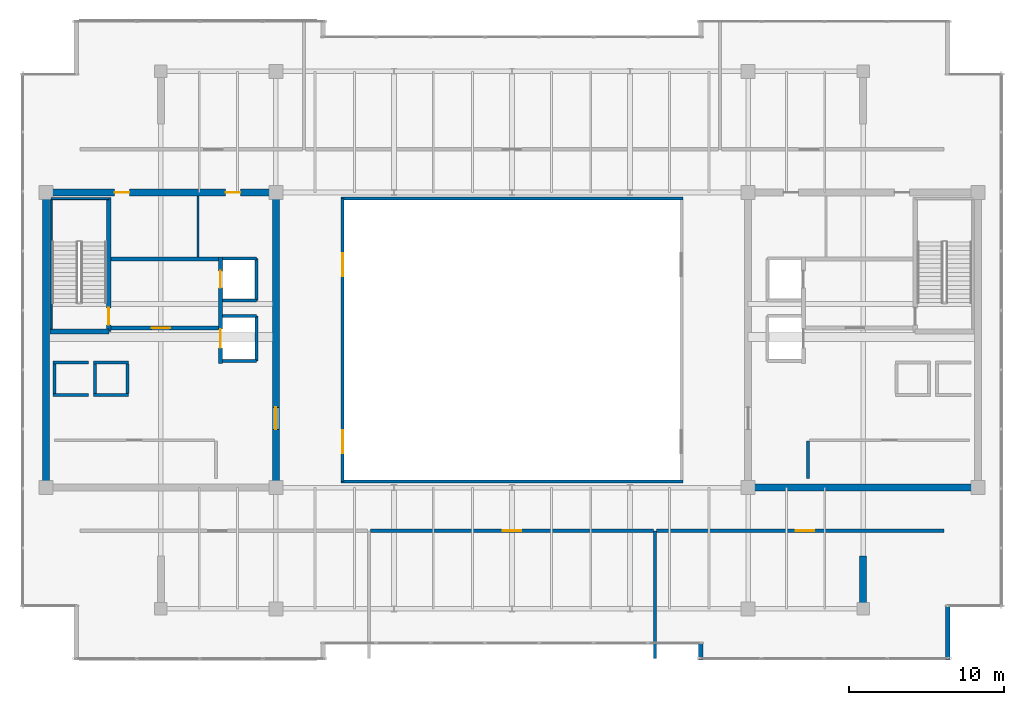
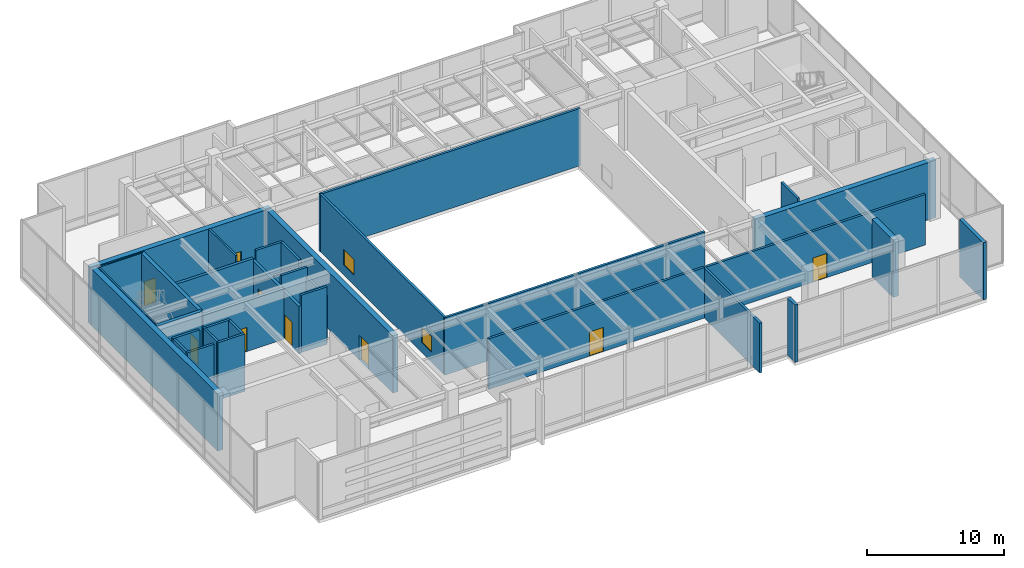
# One storey, part 25 of 30: 35 walls, 9 doors, 2 windows, 11 openings.
"""IFC4 building model written with IfcOpenShell, lengths in metres."""

from ifc_helpers import new_model, si_unit, direction, frame, frame_2d, origin, place, context, subcontext, project, spatial, rectangle, extrude, source, transform, mapped, material, layer, layer_set, type_object, type_shapes, element, fill, save


model = new_model("IFC4")

# Units and contexts
model_context = context("Model", 3, precision=1e-05, world=origin(), true_north=direction((0.0, 1.0)))
body_context = subcontext(model_context, "Body", "Model", "MODEL_VIEW")
ifc_project = project(units=[si_unit("LENGTHUNIT", "METRE"), si_unit("AREAUNIT", "SQUARE_METRE"), si_unit("VOLUMEUNIT", "CUBIC_METRE"), si_unit("PLANEANGLEUNIT", "RADIAN"), si_unit("MASSUNIT", "GRAM", prefix="KILO")], contexts=[model_context])

# Site, building, storey
site_placement = place(None, origin())
site = spatial("IfcSite", under=ifc_project, at=site_placement, CompositionType="ELEMENT")
building_placement = place(site_placement, origin())
building = spatial("IfcBuilding", under=site, at=building_placement, Name="Haelvirn Gate Laboratories", CompositionType="ELEMENT")
storey_placement = place(building_placement, frame((0.0, 0.0, 327.0)))
storey = spatial("IfcBuildingStorey", under=building, at=storey_placement, Name="L78", CompositionType="ELEMENT", Elevation=327.0)

# Walls
ifc_material_1 = material(Name="Thermally-broken bronze aluminium rainscreen & mineral wool", Category="aluminium")
ifc_layer_1 = layer(ifc_material_1, 0.280029296875, Name="EW-TERR-280")
ifc_layer_set_1 = layer_set([ifc_layer_1], Name="Thermally-broken bronze aluminium rainscreen & mineral wool")
wall_type_1 = type_object("IfcWallType", Name="EW-TERR-280", PredefinedType="STANDARD", material=ifc_layer_set_1)
wall_1_placement = place(storey_placement, frame((49.5400390625, 4.782958984375, 0.0), z_axis=(0.0, 0.0, 1.0), x_axis=(0.0, -1.0, 0.0)))
element("IfcWall", 1, at=wall_1_placement, inside=storey, type_object=wall_type_1, Name="L78 Atrium Recess Bronze Return Wall 03", PredefinedType="STANDARD", context=body_context, shape_type="SweptSolid", body=[
    extrude(rectangle(XDim=1.0830078125, YDim=0.280029296875, at=frame_2d((0.54150390625, 0.0))), origin(), (0.0, 0.0, 1.0), 5.1201171875),
])
wall_2_placement = place(storey_placement, frame((65.4599609375, 3.699951171875, 0.0), z_axis=(0.0, 0.0, 1.0), x_axis=(0.0, 1.0, 0.0)))
element("IfcWall", 2, at=wall_2_placement, inside=storey, type_object=wall_type_1, Name="L78 Atrium Recess Bronze Return Wall 05", PredefinedType="STANDARD", context=body_context, shape_type="SweptSolid", body=[
    extrude(rectangle(XDim=3.488037109375, YDim=0.280029296875, at=frame_2d((1.744140625, 0.0))), origin(), (0.0, 0.0, 1.0), 5.1201171875),
])

# Wall, openings, windows
ifc_material_2 = material(Name="Tempered fire-rated borosilicate glass & anodised aluminium", Category="aluminium")
ifc_layer_2 = layer(ifc_material_2, 0.195068359375, Name="IW-GLAZ-200")
ifc_layer_set_2 = layer_set([ifc_layer_2], Name="Tempered fire-rated borosilicate glass & anodised aluminium")
wall_type_2 = type_object("IfcWallType", Name="IW-GLAZ-200", PredefinedType="SOLIDWALL", material=ifc_layer_set_2)
wall_3_placement = place(storey_placement, frame((26.5, 15.199951171875, 0.0), z_axis=(0.0, 0.0, 1.0), x_axis=(0.0, 1.0, 0.0)))
wall_3 = element("IfcWall", 3, at=wall_3_placement, inside=storey, type_object=wall_type_2, Name="L78 Interior Wall IW-L78-ATRIUM-W", PredefinedType="SOLIDWALL", context=body_context, shape_type="SweptSolid", body=[
    extrude(rectangle(XDim=18.199951171875, YDim=0.195068359375, at=frame_2d((9.10009765625, 0.0))), origin(), (0.0, 0.0, 1.0), 5.1201171875),
])
opening_1_placement = place(wall_3_placement, frame((1.800048828125, 0.0, 0.89990234375)))
opening_1 = element("IfcOpeningElement", 4, at=opening_1_placement, cuts=wall_3, Name="Opening W5", PredefinedType="OPENING", context=body_context, shape_type="SweptSolid", body=[
    extrude(rectangle(XDim=1.5, YDim=1.39990234375, at=frame_2d((0.75, 0.699951171875))), frame((0.0, 0.107421875, 0.0), z_axis=(0.0, -1.0, 0.0), x_axis=(1.0, 0.0, 0.0)), (0.0, 0.0, 1.0), 0.215087890625),
])
opening_2_placement = place(wall_3_placement, frame((13.199951171875, 0.0, 0.89990234375)))
opening_2 = element("IfcOpeningElement", 5, at=opening_2_placement, cuts=wall_3, Name="Opening W5", PredefinedType="OPENING", context=body_context, shape_type="SweptSolid", body=[
    extrude(rectangle(XDim=1.5, YDim=1.39990234375, at=frame_2d((0.75, 0.699951171875))), frame((0.0, 0.107421875, 0.0), z_axis=(0.0, -1.0, 0.0), x_axis=(1.0, 0.0, 0.0)), (0.0, 0.0, 1.0), 0.215087890625),
])
ifc_material_3 = material(Name="Fire-rated EI 120 borosilicate atrium vision glazing", Category="glass")
window_type = type_object("IfcWindowType", Name="WN-ATR-1500", PartitioningType="SINGLE_PANEL", PredefinedType="WINDOW", material=ifc_material_3)
shared_shape_1 = source(origin(), body_context, "Body", "SweptSolid", [
    extrude(rectangle(XDim=1.5, YDim=1.39990234375, at=frame_2d((0.75, 0.699951171875))), frame((0.0, 0.030029296875, 0.0), z_axis=(0.0, -1.0, 0.0), x_axis=(1.0, 0.0, 0.0)), (0.0, 0.0, 1.0), 0.06005859375),
])
type_shapes(window_type, [shared_shape_1])
window_1_placement = place(opening_1_placement, origin())
window_1 = element("IfcWindow", 6, at=window_1_placement, inside=storey, type_object=window_type, Name="L78 Atrium Observation Window 1", OverallHeight=1.39990234375, OverallWidth=1.5, PartitioningType="SINGLE_PANEL", PredefinedType="WINDOW", context=body_context, shape_type="MappedRepresentation", body=[
    mapped(shared_shape_1, transform((0.0, 0.0, 0.0), scale=1.0)),
])
fill(opening_1, window_1)
window_2_placement = place(opening_2_placement, origin())
window_2 = element("IfcWindow", 7, at=window_2_placement, inside=storey, type_object=window_type, Name="L78 Atrium Observation Window 2", OverallHeight=1.39990234375, OverallWidth=1.5, PartitioningType="SINGLE_PANEL", PredefinedType="WINDOW", context=body_context, shape_type="MappedRepresentation", body=[
    mapped(shared_shape_1, transform((0.0, 0.0, 0.0), scale=1.0)),
])
fill(opening_2, window_2)

# Walls
for number, where, z_axis, x_axis, name in (
    (8, (26.39990234375, 15.199951171875, 0.0), (0.0, 0.0, 1.0), (1.0, 0.0, 0.0), "L78 Interior Wall IW-L78-ATRIUM-S"),
    (9, (26.39990234375, 33.39990234375, 0.0), (0.0, 0.0, 1.0), (1.0, 0.0, 0.0), "L78 Interior Wall IW-L78-ATRIUM-N"),
):
    element("IfcWall", number, at=place(storey_placement, frame(where, z_axis=z_axis, x_axis=x_axis)), inside=storey, type_object=wall_type_2, Name=name, PredefinedType="SOLIDWALL", context=body_context, shape_type="SweptSolid", body=[
        extrude(rectangle(XDim=22.0, YDim=0.195068359375, at=frame_2d((11.0, 0.0))), origin(), (0.0, 0.0, 1.0), 5.1201171875),
    ])
ifc_material_4 = material(Name="Cement-board restroom plumbing chase wall", Category="gypsum")
ifc_layer_3 = layer(ifc_material_4, 0.155029296875, Name="IW-PLUMB-160")
ifc_layer_set_3 = layer_set([ifc_layer_3], Name="Cement-board restroom plumbing chase wall")
wall_type_3 = type_object("IfcWallType", Name="IW-PLUMB-160", PredefinedType="PLUMBINGWALL", material=ifc_layer_set_3)
wall_4_placement = place(storey_placement, frame((17.18994140625, 29.64990234375, 0.0), z_axis=(0.0, 0.0, 1.0), x_axis=(0.0, 1.0, 0.0)))
element("IfcWall", 10, at=wall_4_placement, inside=storey, type_object=wall_type_3, Name="L78 Interior Wall IW-L78-W-CDIV-1", PredefinedType="PLUMBINGWALL", context=body_context, shape_type="SweptSolid", body=[
    extrude(rectangle(XDim=3.93017578125, YDim=0.155029296875, at=frame_2d((1.965087890625, 0.0))), origin(), (0.0, 0.0, 1.0), 5.1201171875),
])
ifc_material_5 = material(Name="Concrete C40/50", Category="concrete")
ifc_layer_4 = layer(ifc_material_5, 0.179931640625, Name="IW-SHAFT-180")
ifc_layer_set_4 = layer_set([ifc_layer_4], Name="Concrete C40/50")
wall_type_4 = type_object("IfcWallType", Name="IW-SHAFT-180", PredefinedType="SOLIDWALL", material=ifc_layer_set_4)
for number, where, z_axis, x_axis, name in (
    (11, (7.949951171875, 20.85009765625, 0.0), (0.0, 0.0, 1.0), (0.0, 1.0, 0.0), "L78 Interior Wall IW-L78-PL9-SD"),
    (12, (10.550048828125, 20.85009765625, 0.0), (0.0, 0.0, 1.0), (0.0, 1.0, 0.0), "L78 Interior Wall IW-L78-PL10-SD"),
    (13, (12.64990234375, 20.85009765625, 0.0), (0.0, 0.0, 1.0), (0.0, 1.0, 0.0), "L78 Interior Wall IW-L78-PL10-SDE"),
):
    element("IfcWall", number, at=place(storey_placement, frame(where, z_axis=z_axis, x_axis=x_axis)), inside=storey, type_object=wall_type_4, Name=name, PredefinedType="SOLIDWALL", context=body_context, shape_type="SweptSolid", body=[
        extrude(rectangle(XDim=1.89990234375, YDim=0.179931640625, at=frame_2d((0.949951171875, 0.0))), origin(), (0.0, 0.0, 1.0), 5.1201171875),
    ])
wall_5_placement = place(storey_placement, frame((56.4599609375, 15.39990234375, 0.0), z_axis=(0.0, 0.0, 1.0), x_axis=(0.0, 1.0, 0.0)))
element("IfcWall", 14, at=wall_5_placement, inside=storey, type_object=wall_type_4, Name="L78 Interior Wall IW-L78-E-FREED-HE-1", PredefinedType="SOLIDWALL", context=body_context, shape_type="SweptSolid", body=[
    extrude(rectangle(XDim=2.400146484375, YDim=0.179931640625, at=frame_2d((1.2001953125, 0.0))), origin(), (0.0, 0.0, 1.0), 5.1201171875),
])
ifc_layer_5 = layer(ifc_material_5, 0.199951171875, Name="IW-SHAFT-200")
ifc_layer_set_5 = layer_set([ifc_layer_5], Name="Concrete C40/50")
wall_type_5 = type_object("IfcWallType", Name="IW-SHAFT-200", PredefinedType="SOLIDWALL", material=ifc_layer_set_5)
for number, where, z_axis, x_axis, name in (
    (15, (7.8701171875, 20.75, 0.0), (0.0, 0.0, 1.0), (1.0, 0.0, 0.0), "L78 Interior Wall IW-L78-PL9-FR"),
    (16, (7.8701171875, 22.85009765625, 0.0), (0.0, 0.0, 1.0), (1.0, 0.0, 0.0), "L78 Interior Wall IW-L78-PL9-BK"),
):
    element("IfcWall", number, at=place(storey_placement, frame(where, z_axis=z_axis, x_axis=x_axis)), inside=storey, type_object=wall_type_5, Name=name, PredefinedType="SOLIDWALL", context=body_context, shape_type="SweptSolid", body=[
        extrude(rectangle(XDim=2.259765625, YDim=0.199951171875, at=frame_2d((1.1298828125, 0.0))), origin(), (0.0, 0.0, 1.0), 5.1201171875),
    ])
for number, where, z_axis, x_axis, name in (
    (17, (10.469970703125, 20.75, 0.0), (0.0, 0.0, 1.0), (1.0, 0.0, 0.0), "L78 Interior Wall IW-L78-PL10-FR"),
    (18, (10.469970703125, 22.85009765625, 0.0), (0.0, 0.0, 1.0), (1.0, 0.0, 0.0), "L78 Interior Wall IW-L78-PL10-BK"),
):
    element("IfcWall", number, at=place(storey_placement, frame(where, z_axis=z_axis, x_axis=x_axis)), inside=storey, type_object=wall_type_5, Name=name, PredefinedType="SOLIDWALL", context=body_context, shape_type="SweptSolid", body=[
        extrude(rectangle(XDim=2.260009765625, YDim=0.199951171875, at=frame_2d((1.1298828125, 0.0))), origin(), (0.0, 0.0, 1.0), 5.1201171875),
    ])
wall_6_placement = place(storey_placement, frame((20.949951171875, 26.85009765625, 0.0), z_axis=(0.0, 0.0, 1.0), x_axis=(0.0, 1.0, 0.0)))
element("IfcWall", 19, at=wall_6_placement, inside=storey, type_object=wall_type_5, Name="L78 Interior Wall IW-L78-FL1-BK", PredefinedType="SOLIDWALL", context=body_context, shape_type="SweptSolid", body=[
    extrude(rectangle(XDim=2.699951171875, YDim=0.199951171875, at=frame_2d((1.35009765625, 0.0))), origin(), (0.0, 0.0, 1.0), 5.1201171875),
])
wall_7_placement = place(storey_placement, frame((18.760009765625, 29.550048828125, 0.0), z_axis=(0.0, 0.0, 1.0), x_axis=(1.0, 0.0, 0.0)))
element("IfcWall", 20, at=wall_7_placement, inside=storey, type_object=wall_type_5, Name="L78 Interior Wall IW-L78-FL1-N", PredefinedType="SOLIDWALL", context=body_context, shape_type="SweptSolid", body=[
    extrude(rectangle(XDim=2.18994140625, YDim=0.199951171875, at=frame_2d((1.094970703125, 0.0))), origin(), (0.0, 0.0, 1.0), 5.1201171875),
])
wall_8_placement = place(storey_placement, frame((18.760009765625, 26.85009765625, 0.0), z_axis=(0.0, 0.0, 1.0), x_axis=(1.0, 0.0, 0.0)))
element("IfcWall", 21, at=wall_8_placement, inside=storey, type_object=wall_type_5, Name="L78 Interior Wall IW-L78-FL1-S", PredefinedType="SOLIDWALL", context=body_context, shape_type="SweptSolid", body=[
    extrude(rectangle(XDim=2.18994140625, YDim=0.199951171875, at=frame_2d((1.094970703125, 0.0))), origin(), (0.0, 0.0, 1.0), 4.51708984375),
])
wall_9_placement = place(storey_placement, frame((20.949951171875, 22.949951171875, 0.0), z_axis=(0.0, 0.0, 1.0), x_axis=(0.0, 1.0, 0.0)))
element("IfcWall", 22, at=wall_9_placement, inside=storey, type_object=wall_type_5, Name="L78 Interior Wall IW-L78-SL1-BK", PredefinedType="SOLIDWALL", context=body_context, shape_type="SweptSolid", body=[
    extrude(rectangle(XDim=2.900146484375, YDim=0.199951171875, at=frame_2d((1.4501953125, 0.0))), origin(), (0.0, 0.0, 1.0), 4.2548828125),
])
for number, where, z_axis, x_axis, name in (
    (23, (18.760009765625, 25.85009765625, 0.0), (0.0, 0.0, 1.0), (1.0, 0.0, 0.0), "L78 Interior Wall IW-L78-SL1-N"),
    (24, (18.760009765625, 22.949951171875, 0.0), (0.0, 0.0, 1.0), (1.0, 0.0, 0.0), "L78 Interior Wall IW-L78-SL1-S"),
):
    element("IfcWall", number, at=place(storey_placement, frame(where, z_axis=z_axis, x_axis=x_axis)), inside=storey, type_object=wall_type_5, Name=name, PredefinedType="SOLIDWALL", context=body_context, shape_type="SweptSolid", body=[
        extrude(rectangle(XDim=2.18994140625, YDim=0.199951171875, at=frame_2d((1.094970703125, 0.0))), origin(), (0.0, 0.0, 1.0), 5.1201171875),
    ])

# Wall, opening, door
wall_10_placement = place(storey_placement, frame((28.300048828125, 12.02001953125, 0.0), z_axis=(0.0, 0.0, 1.0), x_axis=(1.0, 0.0, 0.0)))
wall_10 = element("IfcWall", 25, at=wall_10_placement, inside=storey, type_object=wall_type_5, Name="L78 Interior Wall IW-L78-PSW-2", PredefinedType="SOLIDWALL", context=body_context, shape_type="SweptSolid", body=[
    extrude(rectangle(XDim=18.199951171875, YDim=0.199951171875, at=frame_2d((9.10009765625, 0.0))), origin(), (0.0, 0.0, 1.0), 4.51708984375),
])
opening_3_placement = place(wall_10_placement, frame((8.5, 0.0, 0.0)))
opening_3 = element("IfcOpeningElement", 26, at=opening_3_placement, cuts=wall_10, Name="Opening FD2", PredefinedType="OPENING", context=body_context, shape_type="SweptSolid", body=[
    extrude(rectangle(XDim=1.199951171875, YDim=2.159912109375, at=frame_2d((0.60009765625, 1.080078125))), frame((0.0, 0.10986328125, 0.0), z_axis=(0.0, -1.0, 0.0), x_axis=(1.0, 0.0, 0.0)), (0.0, 0.0, 1.0), 0.219970703125),
])
ifc_material_6 = material(Name="Fire-rated steel SM355 compartment door", Category="steel")
door_type_1 = type_object("IfcDoorType", Name="DR-FD-1200", OperationType="NOTDEFINED", PredefinedType="DOOR", material=ifc_material_6)
shared_shape_2 = source(origin(), body_context, "Body", "SweptSolid", [
    extrude(rectangle(XDim=1.199951171875, YDim=2.159912109375, at=frame_2d((0.60009765625, 1.080078125))), frame((0.0, 0.02490234375, 0.0), z_axis=(0.0, -1.0, 0.0), x_axis=(1.0, 0.0, 0.0)), (0.0, 0.0, 1.0), 0.050048828125),
])
type_shapes(door_type_1, [shared_shape_2])
door_1_placement = place(opening_3_placement, origin())
door_1 = element("IfcDoor", 27, at=door_1_placement, inside=storey, type_object=door_type_1, Name="L78 High-Plume Dilution Exhaust Fan Plant Fire Door", OperationType="SINGLE_SWING_RIGHT", OverallHeight=2.159912109375, OverallWidth=1.199951171875, PredefinedType="DOOR", context=body_context, shape_type="MappedRepresentation", body=[
    mapped(shared_shape_2, transform((0.0, 0.0, 0.0), scale=1.0)),
])
fill(opening_3, door_1)

# Wall
wall_11_placement = place(storey_placement, frame((46.60009765625, 3.81005859375, 0.0), z_axis=(0.0, 0.0, 1.0), x_axis=(0.0, 1.0, 0.0)))
element("IfcWall", 28, at=wall_11_placement, inside=storey, type_object=wall_type_5, Name="L78 Interior Wall IW-L78-PSDIV-2", PredefinedType="SOLIDWALL", context=body_context, shape_type="SweptSolid", body=[
    extrude(rectangle(XDim=8.2099609375, YDim=0.199951171875, at=frame_2d((4.10498046875, 0.0))), origin(), (0.0, 0.0, 1.0), 4.455078125),
])

# Wall, opening, door
wall_12_placement = place(storey_placement, frame((46.699951171875, 12.02001953125, 0.0), z_axis=(0.0, 0.0, 1.0), x_axis=(1.0, 0.0, 0.0)))
wall_12 = element("IfcWall", 29, at=wall_12_placement, inside=storey, type_object=wall_type_5, Name="L78 Interior Wall IW-L78-PSW-3", PredefinedType="SOLIDWALL", context=body_context, shape_type="SweptSolid", body=[
    extrude(rectangle(XDim=18.5, YDim=0.199951171875, at=frame_2d((9.25, 0.0))), origin(), (0.0, 0.0, 1.0), 4.51708984375),
])
opening_4_placement = place(wall_12_placement, frame((8.964111328125, 0.0, 0.0)))
opening_4 = element("IfcOpeningElement", 30, at=opening_4_placement, cuts=wall_12, Name="Opening FD2", PredefinedType="OPENING", context=body_context, shape_type="SweptSolid", body=[
    extrude(rectangle(XDim=1.199951171875, YDim=2.159912109375, at=frame_2d((0.60009765625, 1.080078125))), frame((0.0, 0.10986328125, 0.0), z_axis=(0.0, -1.0, 0.0), x_axis=(1.0, 0.0, 0.0)), (0.0, 0.0, 1.0), 0.219970703125),
])
door_2_placement = place(opening_4_placement, origin())
door_2 = element("IfcDoor", 31, at=door_2_placement, inside=storey, type_object=door_type_1, Name="L78 Crown Heat-Recovery Chiller Plant Fire Door", OperationType="SINGLE_SWING_LEFT", OverallHeight=2.159912109375, OverallWidth=1.199951171875, PredefinedType="DOOR", context=body_context, shape_type="MappedRepresentation", body=[
    mapped(shared_shape_2, transform((0.0, 0.0, 0.0), scale=1.0)),
])
fill(opening_4, door_2)

ifc_layer_6 = layer(ifc_material_5, 0.239990234375, Name="IW-SHAFT-240")
ifc_layer_set_6 = layer_set([ifc_layer_6], Name="Concrete C40/50")
wall_type_6 = type_object("IfcWallType", Name="IW-SHAFT-240", PredefinedType="SOLIDWALL", material=ifc_layer_set_6)
wall_13_placement = place(storey_placement, frame((11.60009765625, 25.080078125, 0.0), z_axis=(0.0, 0.0, 1.0), x_axis=(1.0, 0.0, 0.0)))
wall_13 = element("IfcWall", 32, at=wall_13_placement, inside=storey, type_object=wall_type_6, Name="L78 Interior Wall IW-L78-W-FF-S", PredefinedType="SOLIDWALL", context=body_context, shape_type="SweptSolid", body=[
    extrude(rectangle(XDim=6.919921875, YDim=0.239990234375, at=frame_2d((3.4599609375, 0.0))), origin(), (0.0, 0.0, 1.0), 4.51708984375),
])
opening_5_placement = place(wall_13_placement, frame((2.60009765625, 0.0, 0.0)))
opening_5 = element("IfcOpeningElement", 33, at=opening_5_placement, cuts=wall_13, Name="Opening FD2", PredefinedType="OPENING", context=body_context, shape_type="SweptSolid", body=[
    extrude(rectangle(XDim=1.199951171875, YDim=2.159912109375, at=frame_2d((0.60009765625, 1.080078125))), frame((0.0, 0.1298828125, 0.0), z_axis=(0.0, -1.0, 0.0), x_axis=(1.0, 0.0, 0.0)), (0.0, 0.0, 1.0), 0.260009765625),
])
door_3_placement = place(opening_5_placement, origin())
door_3 = element("IfcDoor", 34, at=door_3_placement, inside=storey, type_object=door_type_1, Name="L78 West Firefighting Lobby Door", OperationType="SINGLE_SWING_RIGHT", OverallHeight=2.159912109375, OverallWidth=1.199951171875, PredefinedType="DOOR", context=body_context, shape_type="MappedRepresentation", body=[
    mapped(shared_shape_2, transform((0.0, 0.0, 0.0), scale=1.0)),
])
fill(opening_5, door_3)

# Wall
wall_14_placement = place(storey_placement, frame((11.60009765625, 29.52001953125, 0.0), z_axis=(0.0, 0.0, 1.0), x_axis=(1.0, 0.0, 0.0)))
element("IfcWall", 35, at=wall_14_placement, inside=storey, type_object=wall_type_6, Name="L78 Interior Wall IW-L78-W-FF-N", PredefinedType="SOLIDWALL", context=body_context, shape_type="SweptSolid", body=[
    extrude(rectangle(XDim=6.919921875, YDim=0.239990234375, at=frame_2d((3.4599609375, 0.0))), origin(), (0.0, 0.0, 1.0), 4.51708984375),
])

# Wall, openings, doors
wall_15_placement = place(storey_placement, frame((18.639892578125, 22.800048828125, 0.0), z_axis=(0.0, 0.0, 1.0), x_axis=(0.0, 1.0, 0.0)))
wall_15 = element("IfcWall", 36, at=wall_15_placement, inside=storey, type_object=wall_type_6, Name="L78 Interior Wall IW-L78-W-FF-E", PredefinedType="SOLIDWALL", context=body_context, shape_type="SweptSolid", body=[
    extrude(rectangle(XDim=6.849853515625, YDim=0.239990234375, at=frame_2d((3.4248046875, 0.0))), origin(), (0.0, 0.0, 1.0), 4.2548828125),
])
opening_6_placement = place(wall_15_placement, frame((4.85009765625, 0.0, 0.0)))
opening_6 = element("IfcOpeningElement", 37, at=opening_6_placement, cuts=wall_15, Name="Opening LD2", PredefinedType="OPENING", context=body_context, shape_type="SweptSolid", body=[
    extrude(rectangle(XDim=1.10009765625, YDim=2.219970703125, at=frame_2d((0.550048828125, 1.10986328125))), frame((0.0, 0.1298828125, 0.0), z_axis=(0.0, -1.0, 0.0), x_axis=(1.0, 0.0, 0.0)), (0.0, 0.0, 1.0), 0.260009765625),
])
opening_7_placement = place(wall_15_placement, frame((1.0, 0.0, 0.0)))
opening_7 = element("IfcOpeningElement", 38, at=opening_7_placement, cuts=wall_15, Name="Opening LD1", PredefinedType="OPENING", context=body_context, shape_type="SweptSolid", body=[
    extrude(rectangle(XDim=1.199951171875, YDim=2.219970703125, at=frame_2d((0.60009765625, 1.10986328125))), frame((0.0, 0.1298828125, 0.0), z_axis=(0.0, -1.0, 0.0), x_axis=(1.0, 0.0, 0.0)), (0.0, 0.0, 1.0), 0.260009765625),
])
ifc_material_7 = material(Name="Bronze stainless 316L sliding lift landing door")
door_type_2 = type_object("IfcDoorType", Name="DR-LD-1100", OperationType="NOTDEFINED", PredefinedType="USERDEFINED", material=ifc_material_7)
shared_shape_3 = source(origin(), body_context, "Body", "SweptSolid", [
    extrude(rectangle(XDim=1.10009765625, YDim=2.219970703125, at=frame_2d((0.550048828125, 1.10986328125))), frame((0.0, 0.02490234375, 0.0), z_axis=(0.0, -1.0, 0.0), x_axis=(1.0, 0.0, 0.0)), (0.0, 0.0, 1.0), 0.050048828125),
])
type_shapes(door_type_2, [shared_shape_3])
door_4_placement = place(opening_6_placement, origin())
door_4 = element("IfcDoor", 39, at=door_4_placement, inside=storey, type_object=door_type_2, Name="L78 Firefighting Lift FL1 Landing Door", ObjectType="LANDING_DOOR", OperationType="SLIDING_TO_LEFT", OverallHeight=2.219970703125, OverallWidth=1.10009765625, PredefinedType="USERDEFINED", context=body_context, shape_type="MappedRepresentation", body=[
    mapped(shared_shape_3, transform((0.0, 0.0, 0.0), scale=1.0)),
])
fill(opening_6, door_4)
ifc_material_8 = material(Name="Stainless steel 316L sliding goods landing door", Category="steel")
door_type_3 = type_object("IfcDoorType", Name="DR-LD-1200", OperationType="NOTDEFINED", PredefinedType="USERDEFINED", material=ifc_material_8)
shared_shape_4 = source(origin(), body_context, "Body", "SweptSolid", [
    extrude(rectangle(XDim=1.199951171875, YDim=2.219970703125, at=frame_2d((0.60009765625, 1.10986328125))), frame((0.0, 0.02490234375, 0.0), z_axis=(0.0, -1.0, 0.0), x_axis=(1.0, 0.0, 0.0)), (0.0, 0.0, 1.0), 0.050048828125),
])
type_shapes(door_type_3, [shared_shape_4])
door_5_placement = place(opening_7_placement, origin())
door_5 = element("IfcDoor", 40, at=door_5_placement, inside=storey, type_object=door_type_3, Name="L78 Service Lift SL1 Landing Door", ObjectType="LANDING_DOOR", OperationType="SLIDING_TO_RIGHT", OverallHeight=2.219970703125, OverallWidth=1.199951171875, PredefinedType="USERDEFINED", context=body_context, shape_type="MappedRepresentation", body=[
    mapped(shared_shape_4, transform((0.0, 0.0, 0.0), scale=1.0)),
])
fill(opening_7, door_5)

ifc_material_9 = material(Name="Concrete C50/60", Category="concrete")
ifc_layer_7 = layer(ifc_material_9, 0.449951171875, Name="SW-CORE-450")
ifc_layer_set_7 = layer_set([ifc_layer_7], Name="Concrete C50/60")
wall_type_7 = type_object("IfcWallType", Name="SW-CORE-450", PredefinedType="SHEAR", material=ifc_layer_set_7)
wall_16_placement = place(storey_placement, frame((7.175048828125, 33.800048828125, 0.0), z_axis=(0.0, 0.0, 1.0), x_axis=(1.0, 0.0, 0.0)))
wall_16 = element("IfcWall", 41, at=wall_16_placement, inside=storey, type_object=wall_type_7, Name="L78 W Core Shear Wall N", PredefinedType="SHEAR", context=body_context, shape_type="SweptSolid", body=[
    extrude(rectangle(XDim=15.25, YDim=0.449951171875, at=frame_2d((7.625, 0.0))), origin(), (0.0, 0.0, 1.0), 5.1201171875),
])
opening_8_placement = place(wall_16_placement, frame((4.64990234375, 0.0, 0.0)))
opening_8 = element("IfcOpeningElement", 42, at=opening_8_placement, cuts=wall_16, Name="Opening FD4", PredefinedType="OPENING", context=body_context, shape_type="SweptSolid", body=[
    extrude(rectangle(XDim=0.949951171875, YDim=2.14990234375, at=frame_2d((0.47509765625, 1.074951171875))), frame((0.0, 0.23486328125, 0.0), z_axis=(0.0, -1.0, 0.0), x_axis=(1.0, 0.0, 0.0)), (0.0, 0.0, 1.0), 0.469970703125),
])
opening_9_placement = place(wall_16_placement, frame((11.7900390625, 0.0, 0.0)))
opening_9 = element("IfcOpeningElement", 43, at=opening_9_placement, cuts=wall_16, Name="Opening FD4", PredefinedType="OPENING", context=body_context, shape_type="SweptSolid", body=[
    extrude(rectangle(XDim=0.949951171875, YDim=2.14990234375, at=frame_2d((0.47509765625, 1.074951171875))), frame((0.0, 0.23486328125, 0.0), z_axis=(0.0, -1.0, 0.0), x_axis=(1.0, 0.0, 0.0)), (0.0, 0.0, 1.0), 0.469970703125),
])
ifc_material_10 = material(Name="Fire-rated steel SM355 core service door", Category="steel")
door_type_4 = type_object("IfcDoorType", Name="DR-FD-950", OperationType="NOTDEFINED", PredefinedType="DOOR", material=ifc_material_10)
shared_shape_5 = source(origin(), body_context, "Body", "SweptSolid", [
    extrude(rectangle(XDim=0.949951171875, YDim=2.14990234375, at=frame_2d((0.47509765625, 1.074951171875))), frame((0.0, 0.02490234375, 0.0), z_axis=(0.0, -1.0, 0.0), x_axis=(1.0, 0.0, 0.0)), (0.0, 0.0, 1.0), 0.050048828125),
])
type_shapes(door_type_4, [shared_shape_5])
door_6_placement = place(opening_8_placement, origin())
door_6 = element("IfcDoor", 44, at=door_6_placement, inside=storey, type_object=door_type_4, Name="L78 All-Gender Multi-Stall Restroom Fire Door", OperationType="SINGLE_SWING_LEFT", OverallHeight=2.14990234375, OverallWidth=0.949951171875, PredefinedType="DOOR", context=body_context, shape_type="MappedRepresentation", body=[
    mapped(shared_shape_5, transform((0.0, 0.0, 0.0), scale=1.0)),
])
fill(opening_8, door_6)
door_7_placement = place(opening_9_placement, origin())
door_7 = element("IfcDoor", 45, at=door_7_placement, inside=storey, type_object=door_type_4, Name="L78 Accessible Restroom Fire Door", OperationType="SINGLE_SWING_RIGHT", OverallHeight=2.14990234375, OverallWidth=0.949951171875, PredefinedType="DOOR", context=body_context, shape_type="MappedRepresentation", body=[
    mapped(shared_shape_5, transform((0.0, 0.0, 0.0), scale=1.0)),
])
fill(opening_9, door_7)

# Wall
wall_17_placement = place(storey_placement, frame((7.39990234375, 15.02490234375, 0.0), z_axis=(0.0, 0.0, 1.0), x_axis=(0.0, 1.0, 0.0)))
element("IfcWall", 46, at=wall_17_placement, inside=storey, type_object=wall_type_7, Name="L78 W Core Shear Wall W", PredefinedType="SHEAR", context=body_context, shape_type="SweptSolid", body=[
    extrude(rectangle(XDim=18.550048828125, YDim=0.449951171875, at=frame_2d((9.27490234375, 0.0))), origin(), (0.0, 0.0, 1.0), 5.1201171875),
])

# Wall, opening, door
wall_18_placement = place(storey_placement, frame((22.199951171875, 15.02490234375, 0.0), z_axis=(0.0, 0.0, 1.0), x_axis=(0.0, 1.0, 0.0)))
wall_18 = element("IfcWall", 47, at=wall_18_placement, inside=storey, type_object=wall_type_7, Name="L78 W Core Shear Wall E", PredefinedType="SHEAR", context=body_context, shape_type="SweptSolid", body=[
    extrude(rectangle(XDim=18.550048828125, YDim=0.449951171875, at=frame_2d((9.27490234375, 0.0))), origin(), (0.0, 0.0, 1.0), 5.1201171875),
])
opening_10_placement = place(wall_18_placement, frame((3.52490234375, 0.0, 0.0)))
opening_10 = element("IfcOpeningElement", 48, at=opening_10_placement, cuts=wall_18, Name="Opening FD1", PredefinedType="OPENING", context=body_context, shape_type="SweptSolid", body=[
    extrude(rectangle(XDim=1.419921875, YDim=2.199951171875, at=frame_2d((0.7099609375, 1.10009765625))), frame((0.0, 0.23486328125, 0.0), z_axis=(0.0, -1.0, 0.0), x_axis=(1.0, 0.0, 0.0)), (0.0, 0.0, 1.0), 0.469970703125),
])
ifc_material_11 = material(Name="Fire-rated double steel SM355 lobby door", Category="steel")
door_type_5 = type_object("IfcDoorType", Name="DR-FD-1400", OperationType="NOTDEFINED", PredefinedType="DOOR", material=ifc_material_11)
shared_shape_6 = source(origin(), body_context, "Body", "SweptSolid", [
    extrude(rectangle(XDim=1.419921875, YDim=2.199951171875, at=frame_2d((0.7099609375, 1.10009765625))), frame((0.0, 0.02490234375, 0.0), z_axis=(0.0, -1.0, 0.0), x_axis=(1.0, 0.0, 0.0)), (0.0, 0.0, 1.0), 0.050048828125),
])
type_shapes(door_type_5, [shared_shape_6])
door_8_placement = place(opening_10_placement, origin())
door_8 = element("IfcDoor", 49, at=door_8_placement, inside=storey, type_object=door_type_5, Name="L78 West Core Lift Lobby Fire Door", OperationType="DOUBLE_DOOR_SINGLE_SWING", OverallHeight=2.199951171875, OverallWidth=1.419921875, PredefinedType="DOOR", context=body_context, shape_type="MappedRepresentation", body=[
    mapped(shared_shape_6, transform((0.0, 0.0, 0.0), scale=1.0)),
])
fill(opening_10, door_8)

# Walls
wall_19_placement = place(storey_placement, frame((52.375, 14.800048828125, 0.0), z_axis=(0.0, 0.0, 1.0), x_axis=(1.0, 0.0, 0.0)))
element("IfcWall", 50, at=wall_19_placement, inside=storey, type_object=wall_type_7, Name="L78 E Core Shear Wall S", PredefinedType="SHEAR", context=body_context, shape_type="SweptSolid", body=[
    extrude(rectangle(XDim=15.25, YDim=0.449951171875, at=frame_2d((7.625, 0.0))), origin(), (0.0, 0.0, 1.0), 5.1201171875),
])
wall_20_placement = place(storey_placement, frame((60.0, 7.300048828125, 0.0), z_axis=(0.0, 0.0, 1.0), x_axis=(0.0, 1.0, 0.0)))
element("IfcWall", 51, at=wall_20_placement, inside=storey, type_object=wall_type_7, Name="L78 Transverse Slab Shear Wall E-S", PredefinedType="SHEAR", context=body_context, shape_type="SweptSolid", body=[
    extrude(rectangle(XDim=3.099853515625, YDim=0.449951171875, at=frame_2d((1.5498046875, 0.0))), origin(), (0.0, 0.0, 1.0), 5.1201171875),
])
ifc_layer_8 = layer(ifc_material_9, 0.1201171875, Name="SW-LINER-120")
ifc_layer_set_8 = layer_set([ifc_layer_8], Name="Concrete C50/60")
wall_type_8 = type_object("IfcWallType", Name="SW-LINER-120", PredefinedType="SOLIDWALL", material=ifc_layer_set_8)
wall_21_placement = place(storey_placement, frame((7.72998046875, 33.39990234375, 0.0), z_axis=(0.0, 0.0, 1.0), x_axis=(1.0, 0.0, 0.0)))
element("IfcWall", 52, at=wall_21_placement, inside=storey, type_object=wall_type_8, Name="L78 W Core Stair Shaft Liner Wall N", PredefinedType="SOLIDWALL", context=body_context, shape_type="SweptSolid", body=[
    extrude(rectangle(XDim=3.719970703125, YDim=0.1201171875, at=frame_2d((1.85986328125, 0.0))), origin(), (0.0, 0.0, 1.0), 5.1201171875),
])
wall_22_placement = place(storey_placement, frame((7.72998046875, 25.0, 0.0), z_axis=(0.0, 0.0, 1.0), x_axis=(0.0, 1.0, 0.0)))
element("IfcWall", 53, at=wall_22_placement, inside=storey, type_object=wall_type_8, Name="L78 W Core Stair Shaft Liner Wall OUT", PredefinedType="SOLIDWALL", context=body_context, shape_type="SweptSolid", body=[
    extrude(rectangle(XDim=8.320068359375, YDim=0.1201171875, at=frame_2d((4.16015625, 0.0))), origin(), (0.0, 0.0, 1.0), 5.1201171875),
])

# Wall, opening, door
ifc_layer_9 = layer(ifc_material_9, 0.300048828125, Name="SW-STAIR-300")
ifc_layer_set_9 = layer_set([ifc_layer_9], Name="Concrete C50/60")
wall_type_9 = type_object("IfcWallType", Name="SW-STAIR-300", PredefinedType="SHEAR", material=ifc_layer_set_9)
wall_23_placement = place(storey_placement, frame((11.449951171875, 24.85009765625, 0.0), z_axis=(0.0, 0.0, 1.0), x_axis=(0.0, 1.0, 0.0)))
wall_23 = element("IfcWall", 54, at=wall_23_placement, inside=storey, type_object=wall_type_9, Name="L78 W Core Stair Shaft Structural Wall IN", PredefinedType="SHEAR", context=body_context, shape_type="SweptSolid", body=[
    extrude(rectangle(XDim=8.6298828125, YDim=0.300048828125, at=frame_2d((4.31494140625, 0.0))), origin(), (0.0, 0.0, 1.0), 5.1201171875),
])
opening_11_placement = place(wall_23_placement, frame((0.419921875, 0.0, 0.0)))
opening_11 = element("IfcOpeningElement", 55, at=opening_11_placement, cuts=wall_23, Name="Opening FD3", PredefinedType="OPENING", context=body_context, shape_type="SweptSolid", body=[
    extrude(rectangle(XDim=1.10009765625, YDim=2.14990234375, at=frame_2d((0.550048828125, 1.074951171875))), frame((0.0, 0.16015625, 0.0), z_axis=(0.0, -1.0, 0.0), x_axis=(1.0, 0.0, 0.0)), (0.0, 0.0, 1.0), 0.320068359375),
])
ifc_material_12 = material(Name="Fire-rated steel SM355 escape stair door", Category="steel")
door_type_6 = type_object("IfcDoorType", Name="DR-FD-1100", OperationType="NOTDEFINED", PredefinedType="DOOR", material=ifc_material_12)
shared_shape_7 = source(origin(), body_context, "Body", "SweptSolid", [
    extrude(rectangle(XDim=1.10009765625, YDim=2.14990234375, at=frame_2d((0.550048828125, 1.074951171875))), frame((0.0, 0.02490234375, 0.0), z_axis=(0.0, -1.0, 0.0), x_axis=(1.0, 0.0, 0.0)), (0.0, 0.0, 1.0), 0.050048828125),
])
type_shapes(door_type_6, [shared_shape_7])
door_9_placement = place(opening_11_placement, origin())
door_9 = element("IfcDoor", 56, at=door_9_placement, inside=storey, type_object=door_type_6, Name="L78 Escape Stair ST1 Fire Door", OperationType="SINGLE_SWING_LEFT", OverallHeight=2.14990234375, OverallWidth=1.10009765625, PredefinedType="DOOR", context=body_context, shape_type="MappedRepresentation", body=[
    mapped(shared_shape_7, transform((0.0, 0.0, 0.0), scale=1.0)),
])
fill(opening_11, door_9)

# Wall
wall_24_placement = place(storey_placement, frame((7.64990234375, 24.85009765625, 0.0), z_axis=(0.0, 0.0, 1.0), x_axis=(1.0, 0.0, 0.0)))
element("IfcWall", 57, at=wall_24_placement, inside=storey, type_object=wall_type_9, Name="L78 W Core Stair Shaft Structural Wall S", PredefinedType="SHEAR", context=body_context, shape_type="SweptSolid", body=[
    extrude(rectangle(XDim=3.800048828125, YDim=0.300048828125, at=frame_2d((1.89990234375, 0.0))), origin(), (0.0, 0.0, 1.0), 5.1201171875),
])

save(model, "model.ifc")
